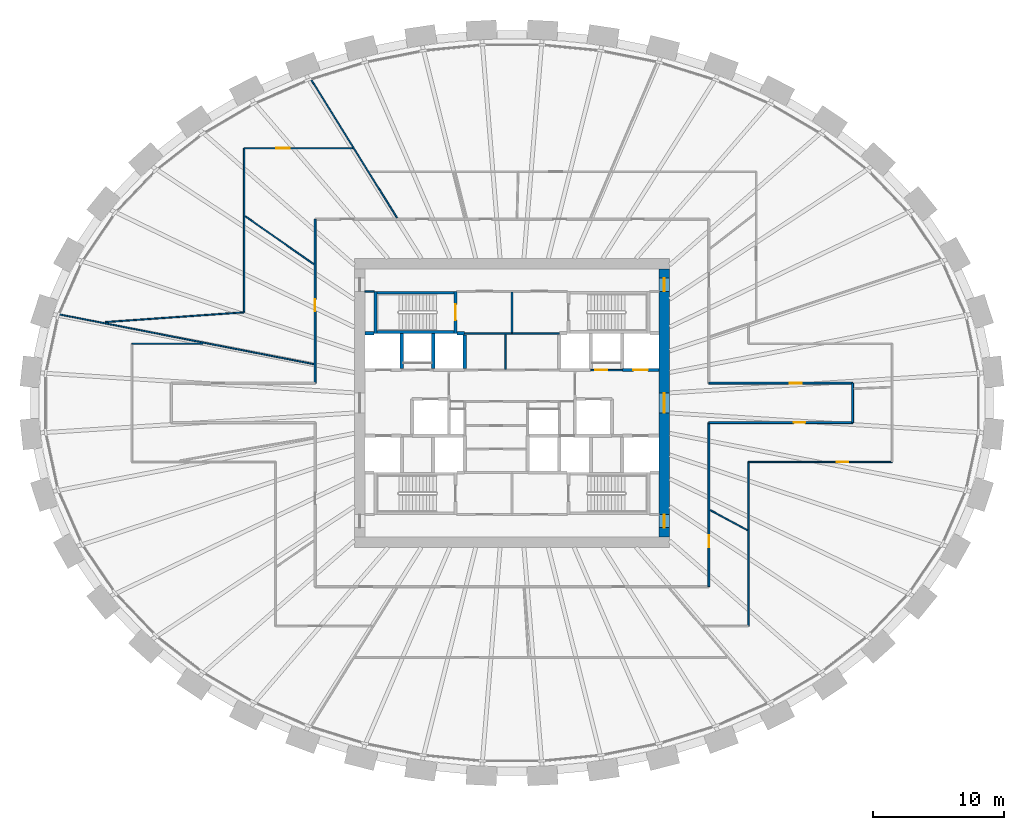
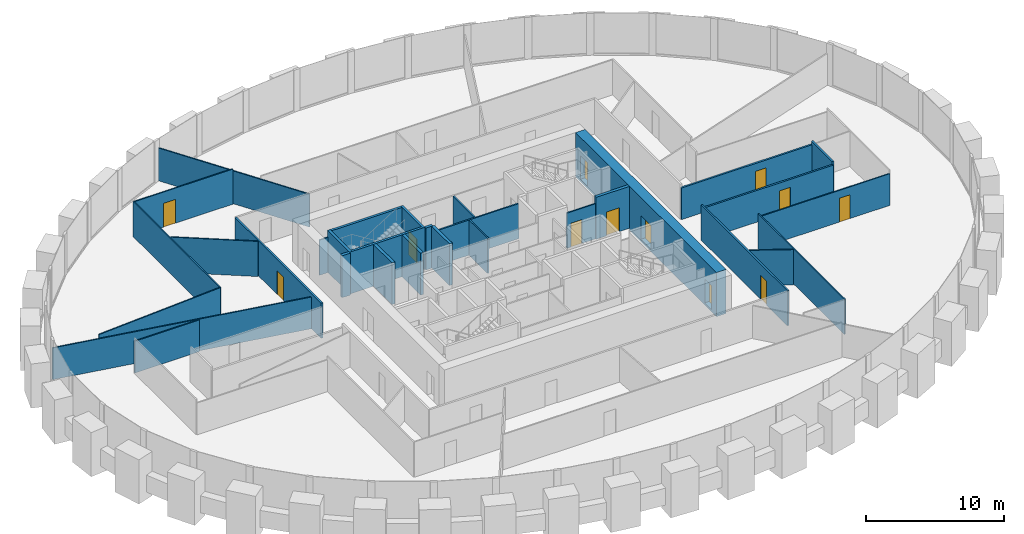
# One storey, part 8 of 11: 31 walls, 12 doors, 12 openings.
"""IFC4 building model written with IfcOpenShell, lengths in metres."""

from ifc_helpers import new_model, si_unit, direction, frame, frame_2d, origin, place, context, subcontext, project, spatial, rectangle, extrude, source, transform, mapped, material, layer, layer_set, type_object, element, fill, save


model = new_model("IFC4")

# Units and contexts
model_context = context("Model", 3, precision=1e-05, world=origin(), true_north=direction((0.0, 1.0)))
body_context = subcontext(model_context, "Body", "Model", "MODEL_VIEW")
ifc_project = project(units=[si_unit("LENGTHUNIT", "METRE"), si_unit("AREAUNIT", "SQUARE_METRE"), si_unit("VOLUMEUNIT", "CUBIC_METRE"), si_unit("PLANEANGLEUNIT", "RADIAN"), si_unit("MASSUNIT", "GRAM", prefix="KILO")], contexts=[model_context])

# Site, building, storey
site_placement = place(None, origin())
site = spatial("IfcSite", under=ifc_project, at=site_placement, CompositionType="ELEMENT")
building_placement = place(site_placement, origin())
building = spatial("IfcBuilding", under=site, at=building_placement, Name="Embergate Tower", CompositionType="ELEMENT")
storey_placement = place(building_placement, frame((0.0, 0.0, 187.199951171875)))
storey = spatial("IfcBuildingStorey", under=building, at=storey_placement, Name="L42", CompositionType="ELEMENT", Elevation=187.199951171875)

# Wall, openings, doors
ifc_material_1 = material(Name="Concrete C70", Category="concrete")
ifc_layer_1 = layer(ifc_material_1, 0.800048828125)
ifc_layer_set_1 = layer_set([ifc_layer_1], Name="Concrete C70")
wall_type_1 = type_object("IfcWallType", Name="Core outer wall C70 800", PredefinedType="SHEAR", material=ifc_layer_set_1)
shared_shape_1 = source(origin(), body_context, "Body", "SweptSolid", [
    extrude(rectangle(XDim=20.39990234375, YDim=0.800048828125, at=frame_2d((10.199951171875, 0.0))), origin(), (0.0, 0.0, 1.0), 3.89990234375),
])
wall_1_placement = place(storey_placement, frame((11.60009765625, -10.199951171875, -0.199951171875), z_axis=(0.0, 0.0, 1.0), x_axis=(0.0, 1.0, 0.0)))
wall_1 = element("IfcWall", 1, at=wall_1_placement, inside=storey, type_object=wall_type_1, Name="CW-L42-E", PredefinedType="SHEAR", context=body_context, shape_type="MappedRepresentation", body=[
    mapped(shared_shape_1, transform((0.0, 0.0, 0.0))),
])
shared_shape_2 = source(origin(), body_context, "Body", "SweptSolid", [
    extrude(rectangle(XDim=1.0, YDim=2.10009765625, at=frame_2d((0.5, 1.050048828125))), frame((0.0, 0.409912109375, 0.0), z_axis=(0.0, -1.0, 0.0), x_axis=(1.0, 0.0, 0.0)), (0.0, 0.0, 1.0), 0.820068359375),
])
opening_1_placement = place(wall_1_placement, frame((18.699951171875, 0.0, 0.199951171875)))
opening_1 = element("IfcOpeningElement", 2, at=opening_1_placement, cuts=wall_1, Name="Opening IF-1d", PredefinedType="OPENING", context=body_context, shape_type="MappedRepresentation", body=[
    mapped(shared_shape_2, transform((0.0, 0.0, 0.0))),
])
opening_2_placement = place(wall_1_placement, frame((0.699951171875, 0.0, 0.199951171875)))
opening_2 = element("IfcOpeningElement", 3, at=opening_2_placement, cuts=wall_1, Name="Opening IF-1d", PredefinedType="OPENING", context=body_context, shape_type="MappedRepresentation", body=[
    mapped(shared_shape_2, transform((0.0, 0.0, 0.0))),
])
shared_shape_3 = source(origin(), body_context, "Body", "SweptSolid", [
    extrude(rectangle(XDim=1.5, YDim=2.10009765625, at=frame_2d((0.75, 1.050048828125))), frame((0.0, 0.409912109375, 0.0), z_axis=(0.0, -1.0, 0.0), x_axis=(1.0, 0.0, 0.0)), (0.0, 0.0, 1.0), 0.820068359375),
])
opening_3_placement = place(wall_1_placement, frame((9.449951171875, 0.0, 0.199951171875)))
opening_3 = element("IfcOpeningElement", 4, at=opening_3_placement, cuts=wall_1, Name="Opening IF-3", PredefinedType="OPENING", context=body_context, shape_type="MappedRepresentation", body=[
    mapped(shared_shape_3, transform((0.0, 0.0, 0.0))),
])
ifc_material_2 = material(Name="Lobby fire door pair 1500")
door_type_1 = type_object("IfcDoorType", Name="Lobby fire door pair 1500", OperationType="DOUBLE_DOOR_SINGLE_SWING", PredefinedType="DOOR", material=ifc_material_2)
shared_shape_4 = source(origin(), body_context, "Body", "SweptSolid", [
    extrude(rectangle(XDim=1.5, YDim=2.10009765625, at=frame_2d((0.75, 1.050048828125))), frame((0.0, 0.02490234375, 0.0), z_axis=(0.0, -1.0, 0.0), x_axis=(1.0, 0.0, 0.0)), (0.0, 0.0, 1.0), 0.050048828125),
])
door_1_placement = place(opening_3_placement, origin())
door_1 = element("IfcDoor", 5, at=door_1_placement, inside=storey, type_object=door_type_1, Name="IF-3 door", OperationType="DOUBLE_DOOR_SINGLE_SWING", OverallHeight=2.10009765625, OverallWidth=1.5, PredefinedType="DOOR", context=body_context, shape_type="MappedRepresentation", body=[
    mapped(shared_shape_4, transform((0.0, 0.0, 0.0))),
])
fill(opening_3, door_1)
ifc_material_3 = material(Name="Escape fire door 1000")
door_type_2 = type_object("IfcDoorType", Name="Escape fire door 1000", OperationType="SINGLE_SWING_LEFT", PredefinedType="DOOR", material=ifc_material_3)
shared_shape_5 = source(origin(), body_context, "Body", "SweptSolid", [
    extrude(rectangle(XDim=1.0, YDim=2.10009765625, at=frame_2d((0.5, 1.050048828125))), frame((0.0, 0.02490234375, 0.0), z_axis=(0.0, -1.0, 0.0), x_axis=(1.0, 0.0, 0.0)), (0.0, 0.0, 1.0), 0.050048828125),
])
door_2_placement = place(opening_1_placement, origin())
door_2 = element("IfcDoor", 6, at=door_2_placement, inside=storey, type_object=door_type_2, Name="IF-1 door", OperationType="SINGLE_SWING_RIGHT", OverallHeight=2.10009765625, OverallWidth=1.0, PredefinedType="DOOR", context=body_context, shape_type="MappedRepresentation", body=[
    mapped(shared_shape_5, transform((0.0, 0.0, 0.0))),
])
fill(opening_1, door_2)
door_3_placement = place(opening_2_placement, origin())
door_3 = element("IfcDoor", 7, at=door_3_placement, inside=storey, type_object=door_type_2, Name="IF-1 door", OperationType="SINGLE_SWING_LEFT", OverallHeight=2.10009765625, OverallWidth=1.0, PredefinedType="DOOR", context=body_context, shape_type="MappedRepresentation", body=[
    mapped(shared_shape_5, transform((0.0, 0.0, 0.0))),
])
fill(opening_2, door_3)

# Walls
ifc_material_4 = material(Name="Concrete C50", Category="concrete")
ifc_layer_2 = layer(ifc_material_4, 0.25)
ifc_layer_set_2 = layer_set([ifc_layer_2], Name="Concrete C50")
wall_type_2 = type_object("IfcWallType", Name="Hoistway wall reinforced concrete 250", PredefinedType="SHEAR", material=ifc_layer_set_2)
shared_shape_6 = source(origin(), body_context, "Body", "SweptSolid", [
    extrude(rectangle(XDim=2.675048828125, YDim=0.25, at=frame_2d((1.33740234375, 0.0))), origin(), (0.0, 0.0, 1.0), 3.699951171875),
])
for number, where, z_axis, x_axis, name in (
    (8, (-8.39990234375, 2.625, 0.0), (0.0, 0.0, 1.0), (0.0, 1.0, 0.0), "HW-1 wall"),
    (9, (-6.0, 2.625, 0.0), (0.0, 0.0, 1.0), (0.0, 1.0, 0.0), "HW-1 wall"),
):
    element("IfcWall", number, at=place(storey_placement, frame(where, z_axis=z_axis, x_axis=x_axis)), inside=storey, type_object=wall_type_2, Name=name, PredefinedType="SHEAR", context=body_context, shape_type="MappedRepresentation", body=[
        mapped(shared_shape_6, transform((0.0, 0.0, 0.0))),
    ])
ifc_layer_3 = layer(ifc_material_4, 0.199951171875)
ifc_layer_set_3 = layer_set([ifc_layer_3], Name="Concrete C50")
wall_type_3 = type_object("IfcWallType", Name="Stair enclosure wall reinforced concrete 250", PredefinedType="SHEAR", material=ifc_layer_set_3)
shared_shape_7 = source(origin(), body_context, "Body", "SweptSolid", [
    extrude(rectangle(XDim=6.300048828125, YDim=0.199951171875, at=frame_2d((3.14990234375, 0.0))), origin(), (0.0, 0.0, 1.0), 3.699951171875),
])
for number, where, z_axis, x_axis, name in (
    (10, (-4.199951171875, 5.39990234375, 0.0), (0.0, 0.0, 1.0), (-1.0, 0.0, 0.0), "SE-1 wall"),
    (11, (-4.199951171875, 8.39990234375, 0.0), (0.0, 0.0, 1.0), (-1.0, 0.0, 0.0), "SE-1 wall"),
):
    element("IfcWall", number, at=place(storey_placement, frame(where, z_axis=z_axis, x_axis=x_axis)), inside=storey, type_object=wall_type_3, Name=name, PredefinedType="SHEAR", context=body_context, shape_type="MappedRepresentation", body=[
        mapped(shared_shape_7, transform((0.0, 0.0, 0.0))),
    ])
shared_shape_8 = source(origin(), body_context, "Body", "SweptSolid", [
    extrude(rectangle(XDim=2.550048828125, YDim=0.25, at=frame_2d((1.27490234375, 0.0))), origin(), (0.0, 0.0, 1.0), 3.699951171875),
])
wall_2_placement = place(storey_placement, frame((-3.60009765625, 2.625, 0.0), z_axis=(0.0, 0.0, 1.0), x_axis=(0.0, 1.0, 0.0)))
element("IfcWall", 12, at=wall_2_placement, inside=storey, type_object=wall_type_2, Name="HW-1 wall", PredefinedType="SHEAR", context=body_context, shape_type="MappedRepresentation", body=[
    mapped(shared_shape_8, transform((0.0, 0.0, 0.0))),
])

# Wall, opening, door
shared_shape_9 = source(origin(), body_context, "Body", "SweptSolid", [
    extrude(rectangle(XDim=3.199951171875, YDim=0.199951171875, at=frame_2d((1.60009765625, 0.0))), origin(), (0.0, 0.0, 1.0), 3.699951171875),
])
wall_3_placement = place(storey_placement, frame((-4.300048828125, 5.300048828125, 0.0), z_axis=(0.0, 0.0, 1.0), x_axis=(0.0, 1.0, 0.0)))
wall_3 = element("IfcWall", 13, at=wall_3_placement, inside=storey, type_object=wall_type_3, Name="SE-1 wall", PredefinedType="SHEAR", context=body_context, shape_type="MappedRepresentation", body=[
    mapped(shared_shape_9, transform((0.0, 0.0, 0.0))),
])
shared_shape_10 = source(origin(), body_context, "Body", "SweptSolid", [
    extrude(rectangle(XDim=1.199951171875, YDim=2.10009765625, at=frame_2d((0.60009765625, 1.050048828125))), frame((0.0, 0.10986328125, 0.0), z_axis=(0.0, -1.0, 0.0), x_axis=(1.0, 0.0, 0.0)), (0.0, 0.0, 1.0), 0.219970703125),
])
opening_4_placement = place(wall_3_placement, frame((1.0, 0.0, 0.0)))
opening_4 = element("IfcOpeningElement", 14, at=opening_4_placement, cuts=wall_3, Name="Opening IF-2", PredefinedType="OPENING", context=body_context, shape_type="MappedRepresentation", body=[
    mapped(shared_shape_10, transform((0.0, 0.0, 0.0))),
])
ifc_material_5 = material(Name="Stair enclosure door 1200")
door_type_3 = type_object("IfcDoorType", Name="Stair enclosure door 1200", OperationType="SINGLE_SWING_LEFT", PredefinedType="DOOR", material=ifc_material_5)
shared_shape_11 = source(origin(), body_context, "Body", "SweptSolid", [
    extrude(rectangle(XDim=1.199951171875, YDim=2.10009765625, at=frame_2d((0.60009765625, 1.050048828125))), frame((0.0, 0.02490234375, 0.0), z_axis=(0.0, -1.0, 0.0), x_axis=(1.0, 0.0, 0.0)), (0.0, 0.0, 1.0), 0.050048828125),
])
door_4_placement = place(opening_4_placement, origin())
door_4 = element("IfcDoor", 15, at=door_4_placement, inside=storey, type_object=door_type_3, Name="IF-2 door", OperationType="SINGLE_SWING_RIGHT", OverallHeight=2.10009765625, OverallWidth=1.199951171875, PredefinedType="DOOR", context=body_context, shape_type="MappedRepresentation", body=[
    mapped(shared_shape_11, transform((0.0, 0.0, 0.0))),
])
fill(opening_4, door_4)

# Wall
ifc_material_6 = material(Name="Core partition blockwork 120")
ifc_layer_4 = layer(ifc_material_6, 0.1201171875)
ifc_layer_set_4 = layer_set([ifc_layer_4], Name="Core partition blockwork 120")
wall_type_4 = type_object("IfcWallType", Name="Core partition blockwork 120", PredefinedType="PARTITIONING", material=ifc_layer_set_4)
shared_shape_12 = source(origin(), body_context, "Body", "SweptSolid", [
    extrude(rectangle(XDim=2.679931640625, YDim=0.1201171875, at=frame_2d((1.33984375, 0.0))), origin(), (0.0, 0.0, 1.0), 3.10009765625),
])
wall_4_placement = place(storey_placement, frame((-0.50390625, 2.56005859375, 0.0), z_axis=(0.0, 0.0, 1.0), x_axis=(0.0, 1.0, 0.0)))
element("IfcWall", 16, at=wall_4_placement, inside=storey, type_object=wall_type_4, Name="IP-3 wall", PredefinedType="PARTITIONING", context=body_context, shape_type="MappedRepresentation", body=[
    mapped(shared_shape_12, transform((0.0, 0.0, 0.0))),
])

# Wall, opening, door
ifc_material_7 = material(Name="Corridor wall dry-lined 150 wet")
ifc_layer_5 = layer(ifc_material_7, 0.14990234375)
ifc_layer_set_5 = layer_set([ifc_layer_5], Name="Corridor wall dry-lined 150 wet")
wall_type_5 = type_object("IfcWallType", Name="Corridor wall dry-lined 150 wet", PredefinedType="PLUMBINGWALL", material=ifc_layer_set_5)
shared_shape_13 = source(origin(), body_context, "Body", "SweptSolid", [
    extrude(rectangle(XDim=10.949951171875, YDim=0.14990234375, at=frame_2d((5.47509765625, 0.0))), origin(), (0.0, 0.0, 1.0), 2.800048828125),
])
wall_5_placement = place(storey_placement, frame((25.949951171875, -1.5, 0.0), z_axis=(0.0, 0.0, 1.0), x_axis=(-1.0, 0.0, 0.0)))
wall_5 = element("IfcWall", 17, at=wall_5_placement, inside=storey, type_object=wall_type_5, Name="IP-2 wall", PredefinedType="PLUMBINGWALL", context=body_context, shape_type="MappedRepresentation", body=[
    mapped(shared_shape_13, transform((0.0, 0.0, 0.0))),
])
shared_shape_14 = source(origin(), body_context, "Body", "SweptSolid", [
    extrude(rectangle(XDim=0.89990234375, YDim=2.10009765625, at=frame_2d((0.449951171875, 1.050048828125))), frame((0.0, 0.0849609375, 0.0), z_axis=(0.0, -1.0, 0.0), x_axis=(1.0, 0.0, 0.0)), (0.0, 0.0, 1.0), 0.169921875),
])
opening_5_placement = place(wall_5_placement, frame((3.60791015625, 0.0, 0.0)))
opening_5 = element("IfcOpeningElement", 18, at=opening_5_placement, cuts=wall_5, Name="Opening IF-1c", PredefinedType="OPENING", context=body_context, shape_type="MappedRepresentation", body=[
    mapped(shared_shape_14, transform((0.0, 0.0, 0.0))),
])
ifc_material_8 = material(Name="Escape fire door 900")
door_type_4 = type_object("IfcDoorType", Name="Escape fire door 900", OperationType="SINGLE_SWING_LEFT", PredefinedType="DOOR", material=ifc_material_8)
shared_shape_15 = source(origin(), body_context, "Body", "SweptSolid", [
    extrude(rectangle(XDim=0.89990234375, YDim=2.10009765625, at=frame_2d((0.449951171875, 1.050048828125))), frame((0.0, 0.02490234375, 0.0), z_axis=(0.0, -1.0, 0.0), x_axis=(1.0, 0.0, 0.0)), (0.0, 0.0, 1.0), 0.050048828125),
])
door_5_placement = place(opening_5_placement, origin())
door_5 = element("IfcDoor", 19, at=door_5_placement, inside=storey, type_object=door_type_4, Name="IF-1 door", OperationType="SINGLE_SWING_RIGHT", OverallHeight=2.10009765625, OverallWidth=0.89990234375, PredefinedType="DOOR", context=body_context, shape_type="MappedRepresentation", body=[
    mapped(shared_shape_15, transform((0.0, 0.0, 0.0))),
])
fill(opening_5, door_5)

wall_6_placement = place(storey_placement, frame((15.0, 1.5, 0.0), z_axis=(0.0, 0.0, 1.0), x_axis=(1.0, 0.0, 0.0)))
wall_6 = element("IfcWall", 20, at=wall_6_placement, inside=storey, type_object=wall_type_5, Name="IP-2 wall", PredefinedType="PLUMBINGWALL", context=body_context, shape_type="MappedRepresentation", body=[
    mapped(shared_shape_13, transform((0.0, 0.0, 0.0))),
])
opening_6_placement = place(wall_6_placement, frame((6.158935546875, 0.0, 0.0)))
opening_6 = element("IfcOpeningElement", 21, at=opening_6_placement, cuts=wall_6, Name="Opening IF-1c", PredefinedType="OPENING", context=body_context, shape_type="MappedRepresentation", body=[
    mapped(shared_shape_14, transform((0.0, 0.0, 0.0))),
])
door_6_placement = place(opening_6_placement, origin())
door_6 = element("IfcDoor", 22, at=door_6_placement, inside=storey, type_object=door_type_4, Name="IF-1 door", OperationType="SINGLE_SWING_RIGHT", OverallHeight=2.10009765625, OverallWidth=0.89990234375, PredefinedType="DOOR", context=body_context, shape_type="MappedRepresentation", body=[
    mapped(shared_shape_15, transform((0.0, 0.0, 0.0))),
])
fill(opening_6, door_6)

ifc_material_9 = material(Name="Partition dry-lined 100 wet")
ifc_layer_6 = layer(ifc_material_9, 0.10009765625)
ifc_layer_set_6 = layer_set([ifc_layer_6], Name="Partition dry-lined 100 wet")
wall_type_6 = type_object("IfcWallType", Name="Partition dry-lined 100 wet", PredefinedType="PLUMBINGWALL", material=ifc_layer_set_6)
shared_shape_16 = source(origin(), body_context, "Body", "SweptSolid", [
    extrude(rectangle(XDim=10.949951171875, YDim=0.10009765625, at=frame_2d((5.47509765625, 0.0))), origin(), (0.0, 0.0, 1.0), 2.800048828125),
])
wall_7_placement = place(storey_placement, frame((28.949951171875, -4.5, 0.0), z_axis=(0.0, 0.0, 1.0), x_axis=(-1.0, 0.0, 0.0)))
wall_7 = element("IfcWall", 23, at=wall_7_placement, inside=storey, type_object=wall_type_6, Name="IP-1 wall", PredefinedType="PLUMBINGWALL", context=body_context, shape_type="MappedRepresentation", body=[
    mapped(shared_shape_16, transform((0.0, 0.0, 0.0))),
])
shared_shape_17 = source(origin(), body_context, "Body", "SweptSolid", [
    extrude(rectangle(XDim=0.89990234375, YDim=2.10009765625, at=frame_2d((0.449951171875, 1.050048828125))), frame((0.0, 0.06005859375, 0.0), z_axis=(0.0, -1.0, 0.0), x_axis=(1.0, 0.0, 0.0)), (0.0, 0.0, 1.0), 0.1201171875),
])
opening_7_placement = place(wall_7_placement, frame((3.323974609375, 0.0, 0.0)))
opening_7 = element("IfcOpeningElement", 24, at=opening_7_placement, cuts=wall_7, Name="Opening ID-1", PredefinedType="OPENING", context=body_context, shape_type="MappedRepresentation", body=[
    mapped(shared_shape_17, transform((0.0, 0.0, 0.0))),
])
ifc_material_10 = material(Name="Interior door 900")
door_type_5 = type_object("IfcDoorType", Name="Interior door 900", OperationType="SINGLE_SWING_LEFT", PredefinedType="DOOR", material=ifc_material_10)
door_7_placement = place(opening_7_placement, origin())
door_7 = element("IfcDoor", 25, at=door_7_placement, inside=storey, type_object=door_type_5, Name="ID-1 door", OperationType="SINGLE_SWING_RIGHT", OverallHeight=2.10009765625, OverallWidth=0.89990234375, PredefinedType="DOOR", context=body_context, shape_type="MappedRepresentation", body=[
    mapped(shared_shape_15, transform((0.0, 0.0, 0.0))),
])
fill(opening_7, door_7)

shared_shape_18 = source(origin(), body_context, "Body", "SweptSolid", [
    extrude(rectangle(XDim=2.800048828125, YDim=0.25, at=frame_2d((1.39990234375, 0.0))), origin(), (0.0, 0.0, 1.0), 3.699951171875),
])
wall_8_placement = place(storey_placement, frame((8.39990234375, 2.5, 0.0), z_axis=(0.0, 0.0, 1.0), x_axis=(1.0, 0.0, 0.0)))
wall_8 = element("IfcWall", 26, at=wall_8_placement, inside=storey, type_object=wall_type_2, Name="HW-1 wall", PredefinedType="SHEAR", context=body_context, shape_type="MappedRepresentation", body=[
    mapped(shared_shape_18, transform((0.0, 0.0, 0.0))),
])
shared_shape_19 = source(origin(), body_context, "Body", "SweptSolid", [
    extrude(rectangle(XDim=1.10009765625, YDim=2.10009765625, at=frame_2d((0.550048828125, 1.050048828125))), frame((0.0, 0.135009765625, 0.0), z_axis=(0.0, -1.0, 0.0), x_axis=(1.0, 0.0, 0.0)), (0.0, 0.0, 1.0), 0.27001953125),
])
opening_8_placement = place(wall_8_placement, frame((0.85009765625, 0.0, 0.0)))
opening_8 = element("IfcOpeningElement", 27, at=opening_8_placement, cuts=wall_8, Name="Opening LD", PredefinedType="OPENING", context=body_context, shape_type="MappedRepresentation", body=[
    mapped(shared_shape_19, transform((0.0, 0.0, 0.0))),
])
ifc_material_11 = material(Name="Landing door sliding 1100")
door_type_6 = type_object("IfcDoorType", Name="Landing door sliding 1100", OperationType="SLIDING_TO_LEFT", PredefinedType="DOOR", material=ifc_material_11)
shared_shape_20 = source(origin(), body_context, "Body", "SweptSolid", [
    extrude(rectangle(XDim=1.10009765625, YDim=2.10009765625, at=frame_2d((0.550048828125, 1.050048828125))), frame((0.0, 0.02490234375, 0.0), z_axis=(0.0, -1.0, 0.0), x_axis=(1.0, 0.0, 0.0)), (0.0, 0.0, 1.0), 0.050048828125),
])
door_8_placement = place(opening_8_placement, origin())
door_8 = element("IfcDoor", 28, at=door_8_placement, inside=storey, type_object=door_type_6, Name="LD door", OperationType="SLIDING_TO_RIGHT", OverallHeight=2.10009765625, OverallWidth=1.10009765625, PredefinedType="DOOR", context=body_context, shape_type="MappedRepresentation", body=[
    mapped(shared_shape_20, transform((0.0, 0.0, 0.0))),
])
fill(opening_8, door_8)

shared_shape_21 = source(origin(), body_context, "Body", "SweptSolid", [
    extrude(rectangle(XDim=2.39990234375, YDim=0.1201171875, at=frame_2d((1.199951171875, 0.0))), origin(), (0.0, 0.0, 1.0), 3.10009765625),
])
wall_9_placement = place(storey_placement, frame((6.0, 2.5, 0.0), z_axis=(0.0, 0.0, 1.0), x_axis=(1.0, 0.0, 0.0)))
wall_9 = element("IfcWall", 29, at=wall_9_placement, inside=storey, type_object=wall_type_4, Name="IP-3 wall", PredefinedType="PARTITIONING", context=body_context, shape_type="MappedRepresentation", body=[
    mapped(shared_shape_21, transform((0.0, 0.0, 0.0))),
])
shared_shape_22 = source(origin(), body_context, "Body", "SweptSolid", [
    extrude(rectangle(XDim=0.89990234375, YDim=2.10009765625, at=frame_2d((0.449951171875, 1.050048828125))), frame((0.0, 0.070068359375, 0.0), z_axis=(0.0, -1.0, 0.0), x_axis=(1.0, 0.0, 0.0)), (0.0, 0.0, 1.0), 0.14013671875),
])
opening_9_placement = place(wall_9_placement, frame((0.35009765625, 0.0, 0.0)))
opening_9 = element("IfcOpeningElement", 30, at=opening_9_placement, cuts=wall_9, Name="Opening ID-1", PredefinedType="OPENING", context=body_context, shape_type="MappedRepresentation", body=[
    mapped(shared_shape_22, transform((0.0, 0.0, 0.0))),
])
door_9_placement = place(opening_9_placement, origin())
door_9 = element("IfcDoor", 31, at=door_9_placement, inside=storey, type_object=door_type_5, Name="ID-1 door", OperationType="SINGLE_SWING_LEFT", OverallHeight=2.10009765625, OverallWidth=0.89990234375, PredefinedType="DOOR", context=body_context, shape_type="MappedRepresentation", body=[
    mapped(shared_shape_15, transform((0.0, 0.0, 0.0))),
])
fill(opening_9, door_9)

# Walls
shared_shape_23 = source(origin(), body_context, "Body", "SweptSolid", [
    extrude(rectangle(XDim=0.599853515625, YDim=0.25, at=frame_2d((0.2998046875, 0.0))), origin(), (0.0, 0.0, 1.0), 3.699951171875),
])
wall_10_placement = place(storey_placement, frame((-3.60009765625, 5.300048828125, 0.0), z_axis=(0.0, 0.0, 1.0), x_axis=(-1.0, 0.0, 0.0)))
element("IfcWall", 32, at=wall_10_placement, inside=storey, type_object=wall_type_2, Name="HW-1 wall", PredefinedType="SHEAR", context=body_context, shape_type="MappedRepresentation", body=[
    mapped(shared_shape_23, transform((0.0, 0.0, 0.0))),
])
shared_shape_24 = source(origin(), body_context, "Body", "SweptSolid", [
    extrude(rectangle(XDim=7.2001953125, YDim=0.1201171875, at=frame_2d((3.60009765625, 0.0))), origin(), (0.0, 0.0, 1.0), 3.10009765625),
])
wall_11_placement = place(storey_placement, frame((-3.60009765625, 5.300048828125, 0.0), z_axis=(0.0, 0.0, 1.0), x_axis=(1.0, 0.0, 0.0)))
element("IfcWall", 33, at=wall_11_placement, inside=storey, type_object=wall_type_4, Name="IP-3 wall", PredefinedType="PARTITIONING", context=body_context, shape_type="MappedRepresentation", body=[
    mapped(shared_shape_24, transform((0.0, 0.0, 0.0))),
])
shared_shape_25 = source(origin(), body_context, "Body", "SweptSolid", [
    extrude(rectangle(XDim=3.079833984375, YDim=0.1201171875, at=frame_2d((1.5400390625, 0.0))), origin(), (0.0, 0.0, 1.0), 3.10009765625),
])
wall_12_placement = place(storey_placement, frame((0.0, 5.360107421875, 0.0), z_axis=(0.0, 0.0, 1.0), x_axis=(0.0, 1.0, 0.0)))
element("IfcWall", 34, at=wall_12_placement, inside=storey, type_object=wall_type_4, Name="IP-3 wall", PredefinedType="PARTITIONING", context=body_context, shape_type="MappedRepresentation", body=[
    mapped(shared_shape_25, transform((0.0, 0.0, 0.0))),
])
shared_shape_26 = source(origin(), body_context, "Body", "SweptSolid", [
    extrude(rectangle(XDim=3.196044921875, YDim=0.199951171875, at=frame_2d((1.59814453125, 0.0))), origin(), (0.0, 0.0, 1.0), 3.699951171875),
])
wall_13_placement = place(storey_placement, frame((-10.39990234375, 8.498046875, 0.0), z_axis=(0.0, 0.0, 1.0), x_axis=(0.0, -1.0, 0.0)))
element("IfcWall", 35, at=wall_13_placement, inside=storey, type_object=wall_type_3, Name="SE-1 wall", PredefinedType="SHEAR", context=body_context, shape_type="MappedRepresentation", body=[
    mapped(shared_shape_26, transform((0.0, 0.0, 0.0))),
])
shared_shape_27 = source(origin(), body_context, "Body", "SweptSolid", [
    extrude(rectangle(XDim=0.697998046875, YDim=0.25, at=frame_2d((0.34912109375, 0.0))), origin(), (0.0, 0.0, 1.0), 3.699951171875),
])
wall_14_placement = place(storey_placement, frame((-10.501953125, 5.300048828125, 0.0), z_axis=(0.0, 0.0, 1.0), x_axis=(-1.0, 0.0, 0.0)))
element("IfcWall", 36, at=wall_14_placement, inside=storey, type_object=wall_type_2, Name="HW-1 wall", PredefinedType="SHEAR", context=body_context, shape_type="MappedRepresentation", body=[
    mapped(shared_shape_27, transform((0.0, 0.0, 0.0))),
])
shared_shape_28 = source(origin(), body_context, "Body", "SweptSolid", [
    extrude(rectangle(XDim=0.697998046875, YDim=0.1201171875, at=frame_2d((0.34912109375, 0.0))), origin(), (0.0, 0.0, 1.0), 3.10009765625),
])
wall_15_placement = place(storey_placement, frame((-11.199951171875, 8.5, 0.0), z_axis=(0.0, 0.0, 1.0), x_axis=(1.0, 0.0, 0.0)))
element("IfcWall", 37, at=wall_15_placement, inside=storey, type_object=wall_type_4, Name="IP-3 wall", PredefinedType="PARTITIONING", context=body_context, shape_type="MappedRepresentation", body=[
    mapped(shared_shape_28, transform((0.0, 0.0, 0.0))),
])

# Wall, opening, door
shared_shape_29 = source(origin(), body_context, "Body", "SweptSolid", [
    extrude(rectangle(XDim=12.5, YDim=0.14990234375, at=frame_2d((6.25, 0.0))), origin(), (0.0, 0.0, 1.0), 3.10009765625),
])
wall_16_placement = place(storey_placement, frame((15.0, -1.5, 0.0), z_axis=(0.0, 0.0, 1.0), x_axis=(0.0, -1.0, 0.0)))
wall_16 = element("IfcWall", 38, at=wall_16_placement, inside=storey, type_object=wall_type_5, Name="IP-2 wall", PredefinedType="PLUMBINGWALL", context=body_context, shape_type="MappedRepresentation", body=[
    mapped(shared_shape_29, transform((0.0, 0.0, 0.0))),
])
opening_10_placement = place(wall_16_placement, frame((8.580078125, 0.0, 0.0)))
opening_10 = element("IfcOpeningElement", 39, at=opening_10_placement, cuts=wall_16, Name="Opening IF-1c", PredefinedType="OPENING", context=body_context, shape_type="MappedRepresentation", body=[
    mapped(shared_shape_14, transform((0.0, 0.0, 0.0))),
])
door_10_placement = place(opening_10_placement, origin())
door_10 = element("IfcDoor", 40, at=door_10_placement, inside=storey, type_object=door_type_4, Name="IF-1 door", OperationType="SINGLE_SWING_LEFT", OverallHeight=2.10009765625, OverallWidth=0.89990234375, PredefinedType="DOOR", context=body_context, shape_type="MappedRepresentation", body=[
    mapped(shared_shape_15, transform((0.0, 0.0, 0.0))),
])
fill(opening_10, door_10)

ifc_material_12 = material(Name="Corridor wall dry-lined 150")
ifc_layer_7 = layer(ifc_material_12, 0.14990234375)
ifc_layer_set_7 = layer_set([ifc_layer_7], Name="Corridor wall dry-lined 150")
wall_type_7 = type_object("IfcWallType", Name="Corridor wall dry-lined 150", PredefinedType="PARTITIONING", material=ifc_layer_set_7)
wall_17_placement = place(storey_placement, frame((-15.0, 1.5, 0.0), z_axis=(0.0, 0.0, 1.0), x_axis=(0.0, 1.0, 0.0)))
wall_17 = element("IfcWall", 41, at=wall_17_placement, inside=storey, type_object=wall_type_7, Name="IP-2 wall", PredefinedType="PARTITIONING", context=body_context, shape_type="MappedRepresentation", body=[
    mapped(shared_shape_29, transform((0.0, 0.0, 0.0))),
])
opening_11_placement = place(wall_17_placement, frame((5.491943359375, 0.0, 0.0)))
opening_11 = element("IfcOpeningElement", 42, at=opening_11_placement, cuts=wall_17, Name="Opening IF-1c", PredefinedType="OPENING", context=body_context, shape_type="MappedRepresentation", body=[
    mapped(shared_shape_14, transform((0.0, 0.0, 0.0))),
])
door_11_placement = place(opening_11_placement, origin())
door_11 = element("IfcDoor", 43, at=door_11_placement, inside=storey, type_object=door_type_4, Name="IF-1 door", OperationType="SINGLE_SWING_RIGHT", OverallHeight=2.10009765625, OverallWidth=0.89990234375, PredefinedType="DOOR", context=body_context, shape_type="MappedRepresentation", body=[
    mapped(shared_shape_15, transform((0.0, 0.0, 0.0))),
])
fill(opening_11, door_11)

# Walls
shared_shape_30 = source(origin(), body_context, "Body", "SweptSolid", [
    extrude(rectangle(XDim=3.0, YDim=0.14990234375, at=frame_2d((1.5, 0.0))), origin(), (0.0, 0.0, 1.0), 3.10009765625),
])
wall_18_placement = place(storey_placement, frame((25.949951171875, 1.5, 0.0), z_axis=(0.0, 0.0, 1.0), x_axis=(0.0, -1.0, 0.0)))
element("IfcWall", 44, at=wall_18_placement, inside=storey, type_object=wall_type_5, Name="IP-2 wall", PredefinedType="PLUMBINGWALL", context=body_context, shape_type="MappedRepresentation", body=[
    mapped(shared_shape_30, transform((0.0, 0.0, 0.0))),
])
ifc_material_13 = material(Name="Partition dry-lined 100")
ifc_layer_8 = layer(ifc_material_13, 0.10009765625)
ifc_layer_set_8 = layer_set([ifc_layer_8], Name="Partition dry-lined 100")
wall_type_8 = type_object("IfcWallType", Name="Partition dry-lined 100", PredefinedType="PARTITIONING", material=ifc_layer_set_8)
shared_shape_31 = source(origin(), body_context, "Body", "SweptSolid", [
    extrude(rectangle(XDim=12.42578125, YDim=0.10009765625, at=frame_2d((6.212890625, 0.0))), origin(), (0.0, 0.0, 1.0), 2.900146484375),
])
wall_19_placement = place(storey_placement, frame((-15.31689453125, 24.656005859375, 0.0), z_axis=(0.0, 0.0, 1.0), x_axis=(0.527685134625, -0.849440050089, 0.0)))
element("IfcWall", 45, at=wall_19_placement, inside=storey, type_object=wall_type_8, Name="IP-1 wall", PredefinedType="PARTITIONING", context=body_context, shape_type="MappedRepresentation", body=[
    mapped(shared_shape_31, transform((0.0, 0.0, 0.0))),
])
shared_shape_32 = source(origin(), body_context, "Body", "SweptSolid", [
    extrude(rectangle(XDim=3.21435546875, YDim=0.10009765625, at=frame_2d((1.607177734375, 0.0))), origin(), (0.0, 0.0, 1.0), 3.10009765625),
])
wall_20_placement = place(storey_placement, frame((15.09912109375, -8.166015625, 0.0), z_axis=(0.0, 0.0, 1.0), x_axis=(0.879449633677, -0.475991955631, 0.0)))
element("IfcWall", 46, at=wall_20_placement, inside=storey, type_object=wall_type_6, Name="IP-1 wall", PredefinedType="PLUMBINGWALL", context=body_context, shape_type="MappedRepresentation", body=[
    mapped(shared_shape_32, transform((0.0, 0.0, 0.0))),
])
shared_shape_33 = source(origin(), body_context, "Body", "SweptSolid", [
    extrude(rectangle(XDim=12.5, YDim=0.10009765625, at=frame_2d((6.25, 0.0))), origin(), (0.0, 0.0, 1.0), 3.10009765625),
])
wall_21_placement = place(storey_placement, frame((18.0, -17.0, 0.0), z_axis=(0.0, 0.0, 1.0), x_axis=(0.0, 1.0, 0.0)))
element("IfcWall", 47, at=wall_21_placement, inside=storey, type_object=wall_type_6, Name="IP-1 wall", PredefinedType="PLUMBINGWALL", context=body_context, shape_type="MappedRepresentation", body=[
    mapped(shared_shape_33, transform((0.0, 0.0, 0.0))),
])
wall_22_placement = place(storey_placement, frame((-20.39990234375, 19.39990234375, 0.0), z_axis=(0.0, 0.0, 1.0), x_axis=(0.0, -1.0, 0.0)))
element("IfcWall", 48, at=wall_22_placement, inside=storey, type_object=wall_type_8, Name="IP-1 wall", PredefinedType="PARTITIONING", context=body_context, shape_type="MappedRepresentation", body=[
    mapped(shared_shape_33, transform((0.0, 0.0, 0.0))),
])
shared_shape_34 = source(origin(), body_context, "Body", "SweptSolid", [
    extrude(rectangle(XDim=6.36767578125, YDim=0.10009765625, at=frame_2d((3.183837890625, 0.0))), origin(), (0.0, 0.0, 1.0), 3.10009765625),
])
wall_23_placement = place(storey_placement, frame((-15.10400390625, 10.569091796875, 0.0), z_axis=(0.0, 0.0, 1.0), x_axis=(-0.819309367064, 0.573351690537, 0.0)))
element("IfcWall", 49, at=wall_23_placement, inside=storey, type_object=wall_type_8, Name="IP-1 wall", PredefinedType="PARTITIONING", context=body_context, shape_type="MappedRepresentation", body=[
    mapped(shared_shape_34, transform((0.0, 0.0, 0.0))),
])

# Wall, opening, door
shared_shape_35 = source(origin(), body_context, "Body", "SweptSolid", [
    extrude(rectangle(XDim=8.2578125, YDim=0.10009765625, at=frame_2d((4.12890625, 0.0))), origin(), (0.0, 0.0, 1.0), 3.10009765625),
])
wall_24_placement = place(storey_placement, frame((-12.14208984375, 19.39990234375, 0.0), z_axis=(0.0, 0.0, 1.0), x_axis=(-1.0, 0.0, 0.0)))
wall_24 = element("IfcWall", 50, at=wall_24_placement, inside=storey, type_object=wall_type_8, Name="IP-1 wall", PredefinedType="PARTITIONING", context=body_context, shape_type="MappedRepresentation", body=[
    mapped(shared_shape_35, transform((0.0, 0.0, 0.0))),
])
shared_shape_36 = source(origin(), body_context, "Body", "SweptSolid", [
    extrude(rectangle(XDim=1.0, YDim=2.10009765625, at=frame_2d((0.5, 1.050048828125))), frame((0.0, 0.06005859375, 0.0), z_axis=(0.0, -1.0, 0.0), x_axis=(1.0, 0.0, 0.0)), (0.0, 0.0, 1.0), 0.1201171875),
])
opening_12_placement = place(wall_24_placement, frame((4.798828125, 0.0, 0.0)))
opening_12 = element("IfcOpeningElement", 51, at=opening_12_placement, cuts=wall_24, Name="Opening ID-2", PredefinedType="OPENING", context=body_context, shape_type="MappedRepresentation", body=[
    mapped(shared_shape_36, transform((0.0, 0.0, 0.0))),
])
ifc_material_14 = material(Name="Interior door 1000")
door_type_7 = type_object("IfcDoorType", Name="Interior door 1000", OperationType="SINGLE_SWING_LEFT", PredefinedType="DOOR", material=ifc_material_14)
door_12_placement = place(opening_12_placement, origin())
door_12 = element("IfcDoor", 52, at=door_12_placement, inside=storey, type_object=door_type_7, Name="ID-2 door", OperationType="SINGLE_SWING_RIGHT", OverallHeight=2.10009765625, OverallWidth=1.0, PredefinedType="DOOR", context=body_context, shape_type="MappedRepresentation", body=[
    mapped(shared_shape_5, transform((0.0, 0.0, 0.0))),
])
fill(opening_12, door_12)

# Walls
shared_shape_37 = source(origin(), body_context, "Body", "SweptSolid", [
    extrude(rectangle(XDim=19.802001953125, YDim=0.10009765625, at=frame_2d((9.90087890625, 0.0))), origin(), (0.0, 0.0, 1.0), 2.800048828125),
])
wall_25_placement = place(storey_placement, frame((-15.0849609375, 2.948974609375, 0.0), z_axis=(0.0, 0.0, 1.0), x_axis=(-0.981423551957, 0.191853620411, 0.0)))
element("IfcWall", 53, at=wall_25_placement, inside=storey, type_object=wall_type_8, Name="IP-1 wall", PredefinedType="PARTITIONING", context=body_context, shape_type="MappedRepresentation", body=[
    mapped(shared_shape_37, transform((0.0, 0.0, 0.0))),
])
shared_shape_38 = source(origin(), body_context, "Body", "SweptSolid", [
    extrude(rectangle(XDim=10.600341796875, YDim=0.10009765625, at=frame_2d((5.30029296875, 0.0))), origin(), (0.0, 0.0, 1.0), 3.10009765625),
])
wall_26_placement = place(storey_placement, frame((-30.97412109375, 6.155029296875, 0.0), z_axis=(0.0, 0.0, 1.0), x_axis=(0.99752813164, 0.070268247359, 0.0)))
element("IfcWall", 54, at=wall_26_placement, inside=storey, type_object=wall_type_8, Name="IP-1 wall", PredefinedType="PARTITIONING", context=body_context, shape_type="MappedRepresentation", body=[
    mapped(shared_shape_38, transform((0.0, 0.0, 0.0))),
])
shared_shape_39 = source(origin(), body_context, "Body", "SweptSolid", [
    extrude(rectangle(XDim=5.4140625, YDim=0.10009765625, at=frame_2d((2.70703125, 0.0))), origin(), (0.0, 0.0, 1.0), 2.800048828125),
])
wall_27_placement = place(storey_placement, frame((-28.949951171875, 4.5, 0.0), z_axis=(0.0, 0.0, 1.0), x_axis=(1.0, 0.0, 0.0)))
element("IfcWall", 55, at=wall_27_placement, inside=storey, type_object=wall_type_8, Name="IP-1 wall", PredefinedType="PARTITIONING", context=body_context, shape_type="MappedRepresentation", body=[
    mapped(shared_shape_39, transform((0.0, 0.0, 0.0))),
])

save(model, "model.ifc")
